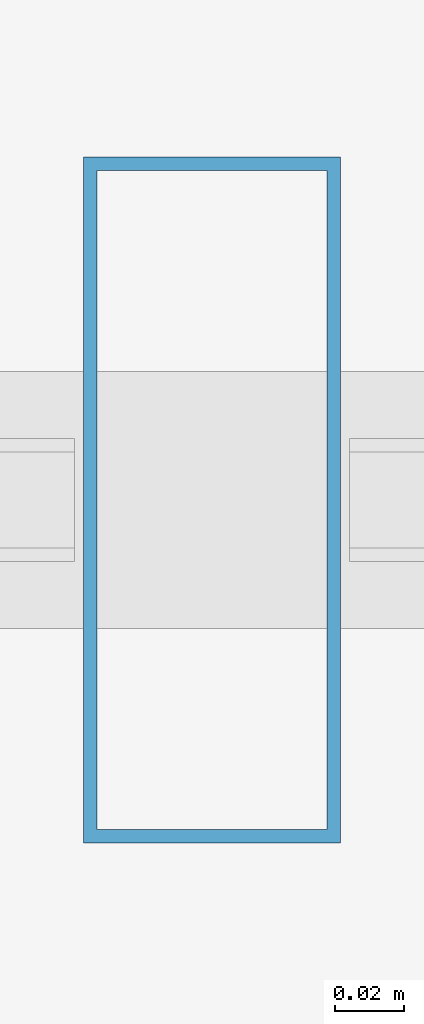
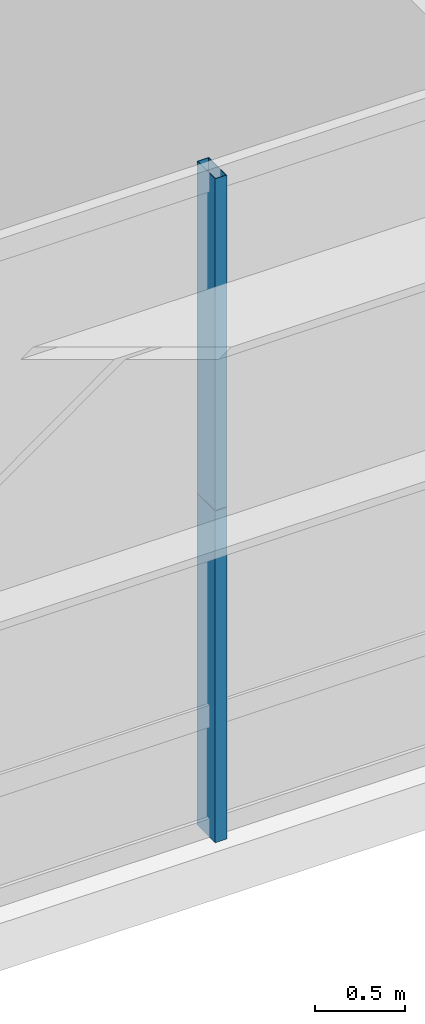
# One storey, part 7 of 34: 2 members, 1 element without a shape of its own.
"""IFC4 building model written with IfcOpenShell, lengths in metres."""

from ifc_helpers import new_model, si_unit, direction, frame, origin, origin_2d, place, context, subcontext, project, spatial, hollow_rectangle, extrude, source, transform, mapped, material, layer, layer_set, material_profile, profile_set, type_object, element, aggregate, save


model = new_model("IFC4")

# Units and contexts
model_context = context("Model", 3, precision=1e-05, world=origin(), true_north=direction((0.0, 1.0)))
body_context = subcontext(model_context, "Body", "Model", "MODEL_VIEW")
ifc_project = project(units=[si_unit("LENGTHUNIT", "METRE"), si_unit("AREAUNIT", "SQUARE_METRE"), si_unit("VOLUMEUNIT", "CUBIC_METRE"), si_unit("PLANEANGLEUNIT", "RADIAN"), si_unit("MASSUNIT", "GRAM", prefix="KILO"), si_unit("THERMODYNAMICTEMPERATUREUNIT", "KELVIN"), si_unit("POWERUNIT", "WATT")], contexts=[model_context])

# Site, building, storey
site_placement = place(None, origin())
site = spatial("IfcSite", under=ifc_project, at=site_placement, CompositionType="ELEMENT")
building_placement = place(site_placement, origin())
building = spatial("IfcBuilding", under=site, at=building_placement, Name="Yuzanri Waterfront Tower", CompositionType="ELEMENT")
storey_placement = place(building_placement, frame((0.0, 0.0, 25.800048828125)))
storey = spatial("IfcBuildingStorey", under=building, at=storey_placement, Name="L06", CompositionType="ELEMENT", Elevation=25.800048828125)

# Curtain wall, members
ifc_material_1 = material(Name="Anodized Architectural Bronze", Category="metal")
ifc_layer = layer(ifc_material_1, 0.159912109375)
ifc_layer_set = layer_set([ifc_layer], Name="Anodized Architectural Bronze")
curtain_wall_type = type_object("IfcCurtainWallType", Name="Anodized Bronze Podium Waterfront Double-Height Unitized Curtain Wall 8400", PredefinedType="NOTDEFINED", material=ifc_layer_set)
curtain_wall_placement = place(storey_placement, origin())
curtain_wall = element("IfcCurtainWall", 1, at=curtain_wall_placement, inside=storey, type_object=curtain_wall_type, Name="L06 Curtain Wall CW-L06-S1", PredefinedType="NOTDEFINED")
ifc_material_2 = material(Name="Anodized Architectural Bronze", Category="metal")
ifc_material_profile = material_profile(ifc_material_2, hollow_rectangle(XDim=0.074951171875, YDim=0.199951171875, WallThickness=0.00390625, at=origin_2d()), Name="CWM 75x200")
ifc_profile_set = profile_set([ifc_material_profile], Name="Anodized Architectural Bronze")
member_type = type_object("IfcMemberType", Name="Anodized Bronze Primary Curtain-Wall Mullion 75x200", PredefinedType="MULLION", material=ifc_profile_set)
shared_shape = source(origin(), body_context, "Body", "SweptSolid", [
    extrude(hollow_rectangle(XDim=0.074951171875, YDim=0.199951171875, WallThickness=0.00390625, at=origin_2d()), origin(), (0.0, 0.0, 1.0), 2.248046875),
])
member_1_placement = place(storey_placement, frame((26.25, 1.97998046875, 0.0), z_axis=(0.0, 0.0, 1.0), x_axis=(1.0, 0.0, 0.0)))
member_1 = element("IfcMember", 2, at=member_1_placement, type_object=member_type, Name="CW-L06-S1 Lower Mullion 01", PredefinedType="MULLION", context=body_context, shape_type="MappedRepresentation", body=[
    mapped(shared_shape, transform((0.0, 0.0, 0.0), scale=1.0)),
])
member_2_placement = place(storey_placement, frame((26.25, 1.97998046875, 2.251953125), z_axis=(0.0, 0.0, 1.0), x_axis=(1.0, 0.0, 0.0)))
member_2 = element("IfcMember", 3, at=member_2_placement, type_object=member_type, Name="CW-L06-S1 Upper Mullion 01", PredefinedType="MULLION", context=body_context, shape_type="MappedRepresentation", body=[
    mapped(shared_shape, transform((0.0, 0.0, 0.0), scale=1.0)),
])
aggregate(curtain_wall, [member_1, member_2])

save(model, "model.ifc")
